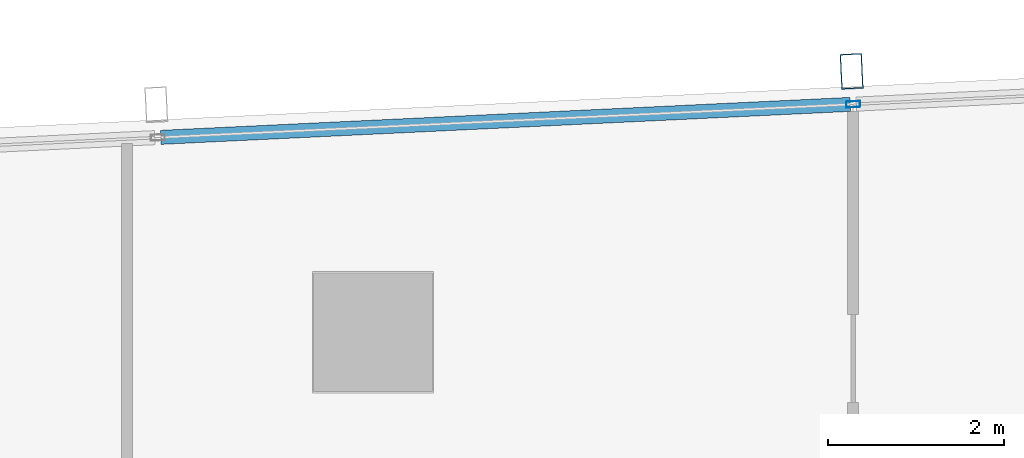
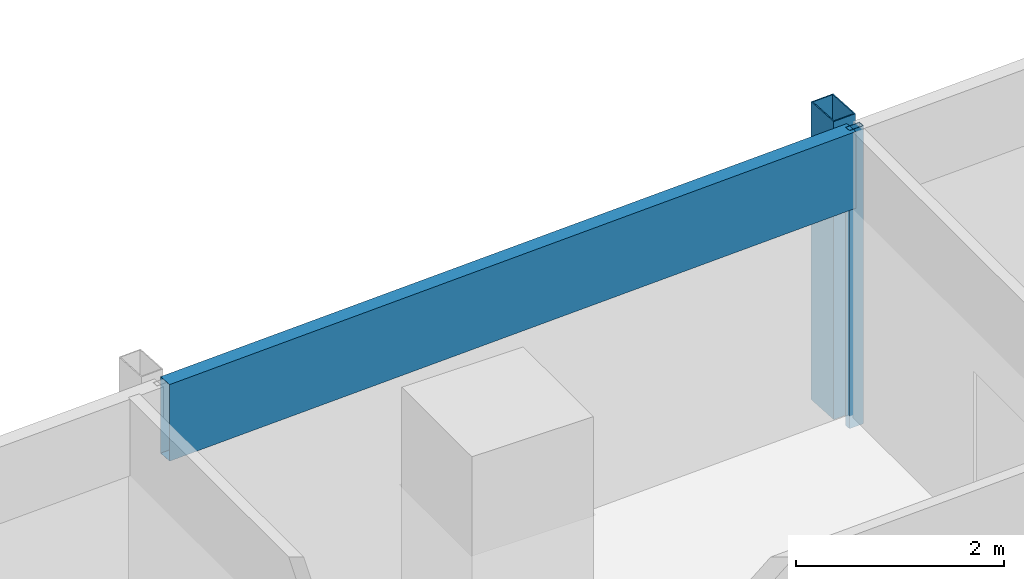
# One storey, part 19 of 40: 3 members, 1 element without a shape of its own.
"""IFC4 building model written with IfcOpenShell, lengths in metres."""

from ifc_helpers import new_model, si_unit, direction, frame, origin, origin_2d, place, context, subcontext, project, spatial, hollow_rectangle, extrude, material, material_profile, profile_set, type_object, element, aggregate, save


model = new_model("IFC4")

# Units and contexts
model_context = context("Model", 3, precision=1e-05, world=origin(), true_north=direction((0.0, 1.0)))
body_context = subcontext(model_context, "Body", "Model", "MODEL_VIEW")
ifc_project = project(units=[si_unit("LENGTHUNIT", "METRE"), si_unit("AREAUNIT", "SQUARE_METRE"), si_unit("VOLUMEUNIT", "CUBIC_METRE"), si_unit("PLANEANGLEUNIT", "RADIAN"), si_unit("MASSUNIT", "GRAM", prefix="KILO")], contexts=[model_context])

# Site, building, storey
site_placement = place(None, origin())
site = spatial("IfcSite", under=ifc_project, at=site_placement, CompositionType="ELEMENT")
building_placement = place(site_placement, origin())
building = spatial("IfcBuilding", under=site, at=building_placement, Name="Rekha Terrace Tower", CompositionType="ELEMENT")
storey_placement = place(building_placement, frame((0.0, 0.0, 210.199951171875)))
storey = spatial("IfcBuildingStorey", under=building, at=storey_placement, Name="L53", CompositionType="ELEMENT", Elevation=210.199951171875)

# Curtain wall, members
ifc_material_1 = material(Name="Aluminium framing", Category="aluminium")
curtain_wall_type = type_object("IfcCurtainWallType", Name="CW3 north unitised glazing", PredefinedType="USERDEFINED", material=ifc_material_1)
curtain_wall_placement = place(storey_placement, origin())
curtain_wall = element("IfcCurtainWall", 1, at=curtain_wall_placement, inside=storey, type_object=curtain_wall_type, Name="CW3 unitised curtain wall", ObjectType="UNITISED CURTAIN WALL", PredefinedType="USERDEFINED")
ifc_material_2 = material(Name="Steel S355 with fluorocarbon finish", Category="steel")
ifc_material_profile_1 = material_profile(ifc_material_2, hollow_rectangle(XDim=0.25, YDim=0.39990234375, WallThickness=0.012451171875, at=origin_2d()), Name="RHS400x250x12.5")
ifc_profile_set_1 = profile_set([ifc_material_profile_1], Name="Steel S355 with fluorocarbon finish")
member_type_1 = type_object("IfcMemberType", Name="BL1 facade blade RHS 400 x 250", PredefinedType="USERDEFINED", material=ifc_profile_set_1)
member_1_placement = place(storey_placement, frame((30.643310546875, 61.767578125, 0.0), z_axis=(0.0, 0.0, 1.0), x_axis=(-0.998858913274, -0.04775846913, 0.0)))
member_1 = element("IfcMember", 2, at=member_1_placement, type_object=member_type_1, Name="Facade blade", ObjectType="FACADE BLADE", PredefinedType="USERDEFINED", context=body_context, shape_type="SweptSolid", body=[
    extrude(hollow_rectangle(XDim=0.25, YDim=0.39990234375, WallThickness=0.012451171875, at=origin_2d()), origin(), (0.0, 0.0, 1.0), 3.5),
])
ifc_material_3 = material(Name="Aluminium mullion section", Category="aluminium")
ifc_material_profile_2 = material_profile(ifc_material_3, hollow_rectangle(XDim=0.070068359375, YDim=0.159912109375, WallThickness=0.00390625, at=origin_2d()), Name="AL RHS 70x160")
ifc_profile_set_2 = profile_set([ifc_material_profile_2], Name="Aluminium mullion section")
member_type_2 = type_object("IfcMemberType", Name="CW3 mullion RHS 70 x 160", PredefinedType="MULLION", material=ifc_profile_set_2)
member_2_placement = place(storey_placement, frame((30.6611328125, 61.39306640625, 0.0), z_axis=(0.0, 0.0, 1.0), x_axis=(0.047758616983, -0.998858906204, 0.0)))
member_2 = element("IfcMember", 3, at=member_2_placement, type_object=member_type_2, Name="CW3 mullion 3", PredefinedType="MULLION", context=body_context, shape_type="SweptSolid", body=[
    extrude(hollow_rectangle(XDim=0.070068359375, YDim=0.159912109375, WallThickness=0.00390625, at=origin_2d()), origin(), (0.0, 0.0, 1.0), 3.5),
])
ifc_material_4 = material(Name="Insulated aluminium spandrel box", Category="aluminium")
ifc_material_profile_3 = material_profile(ifc_material_4, hollow_rectangle(XDim=0.159912109375, YDim=0.89990234375, WallThickness=0.0029296875, at=origin_2d()), Name="AL SPANDREL BOX 160x900")
ifc_profile_set_3 = profile_set([ifc_material_profile_3], Name="Insulated aluminium spandrel box")
member_type_3 = type_object("IfcMemberType", Name="CW3 spandrel transom 160 x 900", PredefinedType="USERDEFINED", material=ifc_profile_set_3)
member_3_placement = place(storey_placement, frame((30.626220703125, 61.391357421875, 3.050048828125), z_axis=(-0.998859323292, -0.047749892907, 0.0), x_axis=(0.047749892907, -0.998859323292, 0.0)))
member_3 = element("IfcMember", 4, at=member_3_placement, type_object=member_type_3, Name="CW3 spandrel transom 3", ObjectType="TRANSOM", PredefinedType="USERDEFINED", context=body_context, shape_type="SweptSolid", body=[
    extrude(hollow_rectangle(XDim=0.159912109375, YDim=0.89990234375, WallThickness=0.0029296875, at=origin_2d()), origin(), (0.0, 0.0, 1.0), 7.848388671875),
])
aggregate(curtain_wall, [member_2, member_3, member_1])

save(model, "model.ifc")
